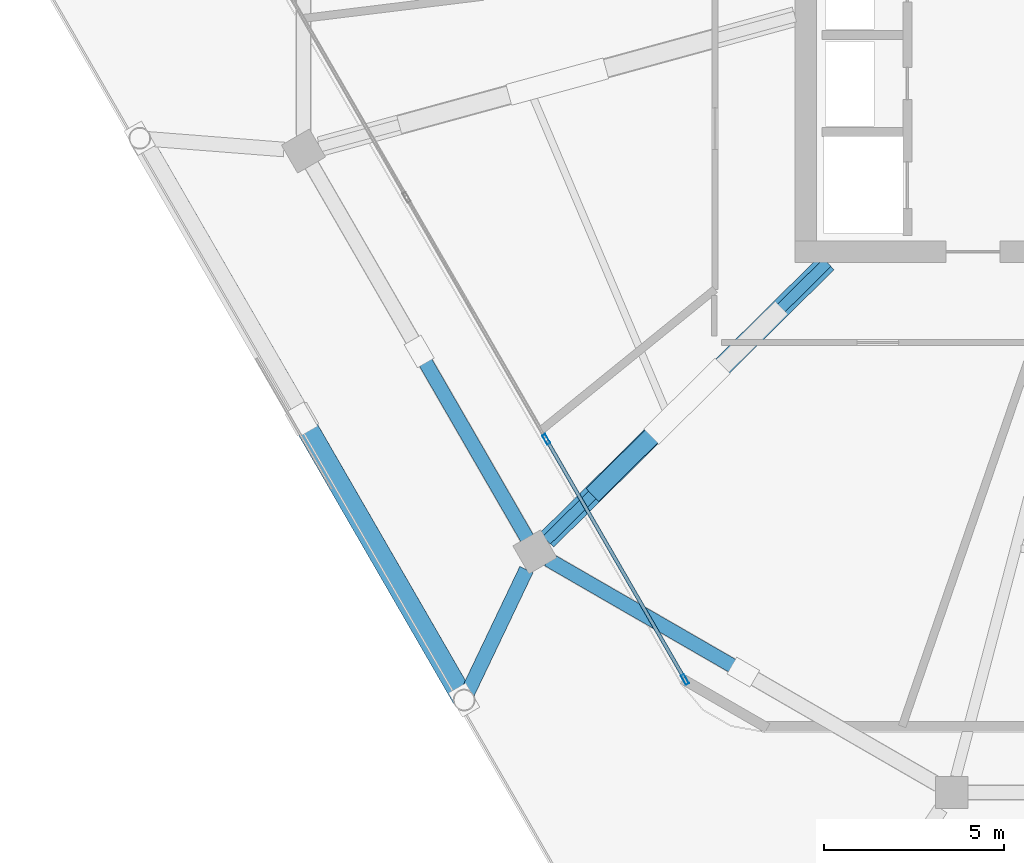
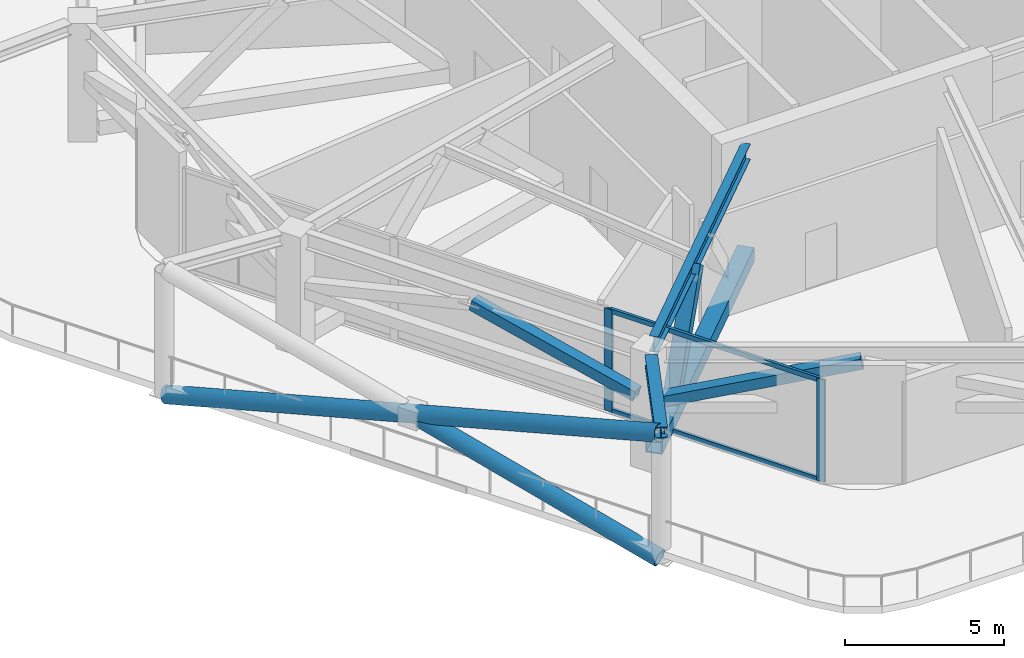
# One storey, part 2 of 20: 10 members, 2 beams, 1 element without a shape of its own.
"""IFC4 building model written with IfcOpenShell, lengths in metres."""

from ifc_helpers import new_model, si_unit, direction, frame, origin, origin_2d, place, context, subcontext, project, spatial, hollow_rectangle, hollow_circle, i_section, extrude, material, material_profile, profile_set, type_object, element, aggregate, save


model = new_model("IFC4")

# Units and contexts
model_context = context("Model", 3, precision=1e-05, world=origin(), true_north=direction((0.0, 1.0)))
body_context = subcontext(model_context, "Body", "Model", "MODEL_VIEW")
ifc_project = project(units=[si_unit("LENGTHUNIT", "METRE"), si_unit("AREAUNIT", "SQUARE_METRE"), si_unit("VOLUMEUNIT", "CUBIC_METRE"), si_unit("PLANEANGLEUNIT", "RADIAN"), si_unit("MASSUNIT", "GRAM", prefix="KILO")], contexts=[model_context])

# Site, building, storey
site_placement = place(None, origin())
site = spatial("IfcSite", under=ifc_project, at=site_placement, CompositionType="ELEMENT")
building_placement = place(site_placement, origin())
building = spatial("IfcBuilding", under=site, at=building_placement, Name="Zuhravey Tower", CompositionType="ELEMENT")
storey_placement = place(building_placement, frame((0.0, 0.0, 226.39990234375)))
storey = spatial("IfcBuildingStorey", under=building, at=storey_placement, Name="L57", CompositionType="ELEMENT", Elevation=226.39990234375)

# Members
ifc_material_1 = material(Name="Steel SM355", Category="steel")
ifc_material_profile_1 = material_profile(ifc_material_1, hollow_rectangle(XDim=0.39990234375, YDim=0.39990234375, WallThickness=0.02490234375, at=origin_2d()), Name="RHS-400x400x25")
ifc_profile_set_1 = profile_set([ifc_material_profile_1], Name="Steel SM355")
member_type_1 = type_object("IfcMemberType", Name="Belt Truss Diagonal RHS400x400", PredefinedType="BRACE", material=ifc_profile_set_1)
member_1_placement = place(storey_placement, frame((17.7216796875, 14.552001953125, 2.49365234375), z_axis=(-0.486154520979, 0.841989295572, 0.233897002704), x_axis=(-0.866011252126, -0.50002451059, 0.0)))
element("IfcMember", 1, at=member_1_placement, inside=storey, type_object=member_type_1, Name="L57 Belt Truss Diagonal BTD1-06.2", PredefinedType="BRACE", context=body_context, shape_type="SweptSolid", body=[
    extrude(hollow_rectangle(XDim=0.39990234375, YDim=0.39990234375, WallThickness=0.02490234375, at=origin_2d()), origin(), (0.0, 0.0, 1.0), 6.11669921875),
])
member_2_placement = place(storey_placement, frame((18.363037109375, 13.910400390625, 2.493408203125), z_axis=(0.843872110687, -0.487207613585, 0.22474118908), x_axis=(0.499998324629, 0.866026371058, 0.0)))
element("IfcMember", 2, at=member_2_placement, inside=storey, type_object=member_type_1, Name="L57 Belt Truss Diagonal BTD1-07.1", PredefinedType="BRACE", context=body_context, shape_type="SweptSolid", body=[
    extrude(hollow_rectangle(XDim=0.39990234375, YDim=0.39990234375, WallThickness=0.02490234375, at=origin_2d()), origin(), (0.0, 0.0, 1.0), 6.367919921875),
])

# Beam
ifc_material_2 = material(Name="Steel SM460", Category="steel")
ifc_material_profile_2 = material_profile(ifc_material_2, i_section(OverallWidth=0.406982421875, OverallDepth=0.427978515625, WebThickness=0.02001953125, FlangeThickness=0.034912109375, at=origin_2d()), Name="H-428x407x20x35")
ifc_profile_set_2 = profile_set([ifc_material_profile_2], Name="Steel SM460")
beam_type_1 = type_object("IfcBeamType", Name="Exoskeleton Node Tie Beam H428x407", PredefinedType="BEAM", material=ifc_profile_set_2)
beam_1_placement = place(storey_placement, frame((17.719482421875, 13.649169921875, 4.336181640625), z_axis=(-0.431011445347, -0.902346460058, 0.0), x_axis=(0.902346460058, -0.431011445347, 0.0)))
element("IfcBeam", 3, at=beam_1_placement, inside=storey, type_object=beam_type_1, Name="L57 Exoskeleton Node Tie NT1-08", PredefinedType="BEAM", context=body_context, shape_type="SweptSolid", body=[
    extrude(i_section(OverallWidth=0.406982421875, OverallDepth=0.427978515625, WebThickness=0.02001953125, FlangeThickness=0.034912109375, at=origin_2d()), origin(), (0.0, 0.0, 1.0), 4.008056640625),
])

# Members
ifc_material_profile_3 = material_profile(ifc_material_1, hollow_circle(Radius=0.3046875, WallThickness=0.028076171875, at=origin_2d()), Name="CHS-609.6x28")
ifc_profile_set_3 = profile_set([ifc_material_profile_3], Name="Steel SM355")
member_type_2 = type_object("IfcMemberType", Name="Exoskeleton Zone 3 Diagrid CHS610x28", PredefinedType="BRACE", material=ifc_profile_set_3)
member_3_placement = place(storey_placement, frame((6.985595703125, 25.607421875, -0.478515625), z_axis=(0.483015483951, -0.836617784081, 0.258392580433), x_axis=(0.866028101651, 0.499995327129, 0.0)))
element("IfcMember", 4, at=member_3_placement, inside=storey, type_object=member_type_2, Name="L57 Face 4 Diagrid Brace 2", PredefinedType="BRACE", context=body_context, shape_type="SweptSolid", body=[
    extrude(hollow_circle(Radius=0.3046875, WallThickness=0.028076171875, at=origin_2d()), origin(), (0.0, 0.0, 1.0), 18.57275390625),
])
member_4_placement = place(storey_placement, frame((15.95654296875, 10.069091796875, -0.478515625), z_axis=(-0.483022459876, 0.836607173604, 0.258413893453), x_axis=(-0.866022228906, -0.50000549901, 0.0)))
element("IfcMember", 5, at=member_4_placement, inside=storey, type_object=member_type_2, Name="L57 Face 4 Split Diagrid Brace 3A", PredefinedType="BRACE", context=body_context, shape_type="SweptSolid", body=[
    extrude(hollow_circle(Radius=0.3046875, WallThickness=0.028076171875, at=origin_2d()), origin(), (0.0, 0.0, 1.0), 8.991455078125),
])

# Curtain wall, members
ifc_material_3 = material(Name="Thermally broken anodised aluminium", Category="aluminium")
curtain_wall_type = type_object("IfcCurtainWallType", Name="Sky-Garden Tray Clerestory Curtain Wall CW5", PredefinedType="NOTDEFINED", material=ifc_material_3)
curtain_wall_placement = place(storey_placement, origin())
curtain_wall = element("IfcCurtainWall", 6, at=curtain_wall_placement, inside=storey, type_object=curtain_wall_type, Name="L57 CW5 CW-L57-F4-1", PredefinedType="NOTDEFINED")
ifc_material_4 = material(Name="Anodised aluminium", Category="aluminium")
ifc_material_profile_4 = material_profile(ifc_material_4, hollow_rectangle(XDim=0.10009765625, YDim=0.2900390625, WallThickness=0.006103515625, at=origin_2d()), Name="ALU-RHS-100x290x6")
ifc_profile_set_4 = profile_set([ifc_material_profile_4], Name="Anodised aluminium")
member_type_3 = type_object("IfcMemberType", Name="Heavy Tall-Storey Mullion 100x220", PredefinedType="MULLION", material=ifc_profile_set_4)
member_5_placement = place(storey_placement, frame((22.13232421875, 10.59228515625, 0.0), z_axis=(0.0, 0.0, 1.0), x_axis=(-0.86602528573, -0.500000204476, 0.0)))
member_5 = element("IfcMember", 7, at=member_5_placement, type_object=member_type_3, Name="CW5 mullion 1", PredefinedType="MULLION", context=body_context, shape_type="SweptSolid", body=[
    extrude(hollow_rectangle(XDim=0.10009765625, YDim=0.2900390625, WallThickness=0.006103515625, at=origin_2d()), origin(), (0.0, 0.0, 1.0), 3.93017578125),
])
member_6_placement = place(storey_placement, frame((18.272216796875, 17.2783203125, 0.0), z_axis=(0.0, 0.0, 1.0), x_axis=(-0.86602528573, -0.500000204476, 0.0)))
member_6 = element("IfcMember", 8, at=member_6_placement, type_object=member_type_3, Name="CW5 mullion 2", PredefinedType="MULLION", context=body_context, shape_type="SweptSolid", body=[
    extrude(hollow_rectangle(XDim=0.10009765625, YDim=0.2900390625, WallThickness=0.006103515625, at=origin_2d()), origin(), (0.0, 0.0, 1.0), 3.93017578125),
])

# Members
ifc_material_profile_5 = material_profile(ifc_material_2, hollow_rectangle(XDim=0.550048828125, YDim=0.550048828125, WallThickness=0.034912109375, at=origin_2d()), Name="RHS-550x550x35")
ifc_profile_set_5 = profile_set([ifc_material_profile_5], Name="Steel SM460")
member_type_4 = type_object("IfcMemberType", Name="Outrigger Truss Chord RHS550x550", PredefinedType="CHORD", material=ifc_profile_set_5)
member_7_placement = place(storey_placement, frame((26.08984375, 22.193359375, 0.320068359375), z_axis=(-0.710835092384, -0.703358707514, 0.0), x_axis=(0.703358707514, -0.710835092384, 0.0)))
element("IfcMember", 9, at=member_7_placement, inside=storey, type_object=member_type_4, Name="L57 Outrigger Bottom Chord OTC1-06", PredefinedType="CHORD", context=body_context, shape_type="SweptSolid", body=[
    extrude(hollow_rectangle(XDim=0.550048828125, YDim=0.550048828125, WallThickness=0.034912109375, at=origin_2d()), origin(), (0.0, 0.0, 1.0), 10.97216796875),
])
ifc_material_profile_6 = material_profile(ifc_material_2, hollow_rectangle(XDim=0.5, YDim=0.5, WallThickness=0.031982421875, at=origin_2d()), Name="RHS-500x500x32")
ifc_profile_set_6 = profile_set([ifc_material_profile_6], Name="Steel SM460")
member_type_5 = type_object("IfcMemberType", Name="Outrigger Truss Diagonal RHS500x500", PredefinedType="BRACE", material=ifc_profile_set_6)
member_8_placement = place(storey_placement, frame((19.694580078125, 15.865234375, 0.56005859375), z_axis=(0.447513072519, 0.442878981702, 0.776910713977), x_axis=(-0.703417081124, 0.710777327989, 0.0)))
element("IfcMember", 10, at=member_8_placement, inside=storey, type_object=member_type_5, Name="L57 Outrigger Diagonal OTD1-06.2", PredefinedType="BRACE", context=body_context, shape_type="SweptSolid", body=[
    extrude(hollow_rectangle(XDim=0.5, YDim=0.5, WallThickness=0.031982421875, at=origin_2d()), origin(), (0.0, 0.0, 1.0), 4.53076171875),
])

# Beam
ifc_material_profile_7 = material_profile(ifc_material_1, i_section(OverallWidth=0.300048828125, OverallDepth=0.60009765625, WebThickness=0.011962890625, FlangeThickness=0.02001953125, at=origin_2d()), Name="H-600x300x12x20")
ifc_profile_set_7 = profile_set([ifc_material_profile_7], Name="Steel SM355")
beam_type_2 = type_object("IfcBeamType", Name="Radial Primary Girder H600x300", PredefinedType="BEAM", material=ifc_profile_set_7)
beam_2_placement = place(storey_placement, frame((26.09326171875, 22.197021484375, 4.25), z_axis=(-0.710816516282, -0.703377480576, 0.0), x_axis=(0.703377480576, -0.710816516282, 0.0)))
element("IfcBeam", 11, at=beam_2_placement, inside=storey, type_object=beam_type_2, Name="L57 RG3 BM-L57-RAD-08", PredefinedType="BEAM", context=body_context, shape_type="SweptSolid", body=[
    extrude(i_section(OverallWidth=0.300048828125, OverallDepth=0.60009765625, WebThickness=0.011962890625, FlangeThickness=0.02001953125, at=origin_2d()), origin(), (0.0, 0.0, 1.0), 10.994384765625),
])

# Member
ifc_material_profile_8 = material_profile(ifc_material_4, hollow_rectangle(XDim=0.10009765625, YDim=0.179931640625, WallThickness=0.006103515625, at=origin_2d()), Name="ALU-RHS-100x180x6")
ifc_profile_set_8 = profile_set([ifc_material_profile_8], Name="Anodised aluminium")
member_type_6 = type_object("IfcMemberType", Name="Tall-Storey Transom 100x180", PredefinedType="USERDEFINED", material=ifc_profile_set_8)
member_9_placement = place(storey_placement, frame((22.107421875, 10.635498046875, 0.050048828125), z_axis=(-0.500001622432, 0.866024467071, 0.0), x_axis=(-0.866024467071, -0.500001622432, 0.0)))
member_9 = element("IfcMember", 12, at=member_9_placement, type_object=member_type_6, Name="CW5 transom 1.1", ObjectType="TRANSOM", PredefinedType="USERDEFINED", context=body_context, shape_type="SweptSolid", body=[
    extrude(hollow_rectangle(XDim=0.10009765625, YDim=0.179931640625, WallThickness=0.006103515625, at=origin_2d()), origin(), (0.0, 0.0, 1.0), 7.62060546875),
])

member_10_placement = place(storey_placement, frame((22.107421875, 10.635498046875, 3.880126953125), z_axis=(-0.500001622432, 0.866024467071, 0.0), x_axis=(-0.866024467071, -0.500001622432, 0.0)))
member_10 = element("IfcMember", 13, at=member_10_placement, type_object=member_type_6, Name="CW5 transom 1.2", ObjectType="TRANSOM", PredefinedType="USERDEFINED", context=body_context, shape_type="SweptSolid", body=[
    extrude(hollow_rectangle(XDim=0.10009765625, YDim=0.179931640625, WallThickness=0.006103515625, at=origin_2d()), origin(), (0.0, 0.0, 1.0), 7.62060546875),
])

aggregate(curtain_wall, [member_5, member_6, member_9, member_10])

save(model, "model.ifc")
